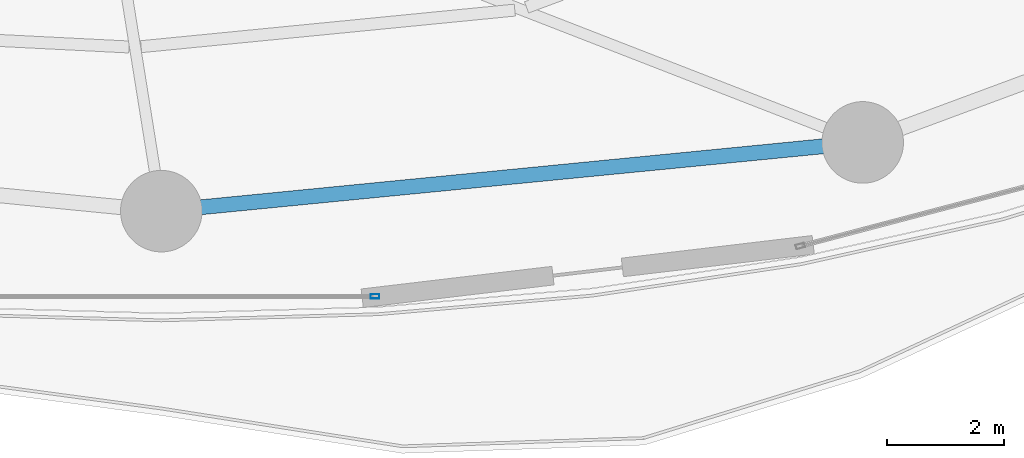
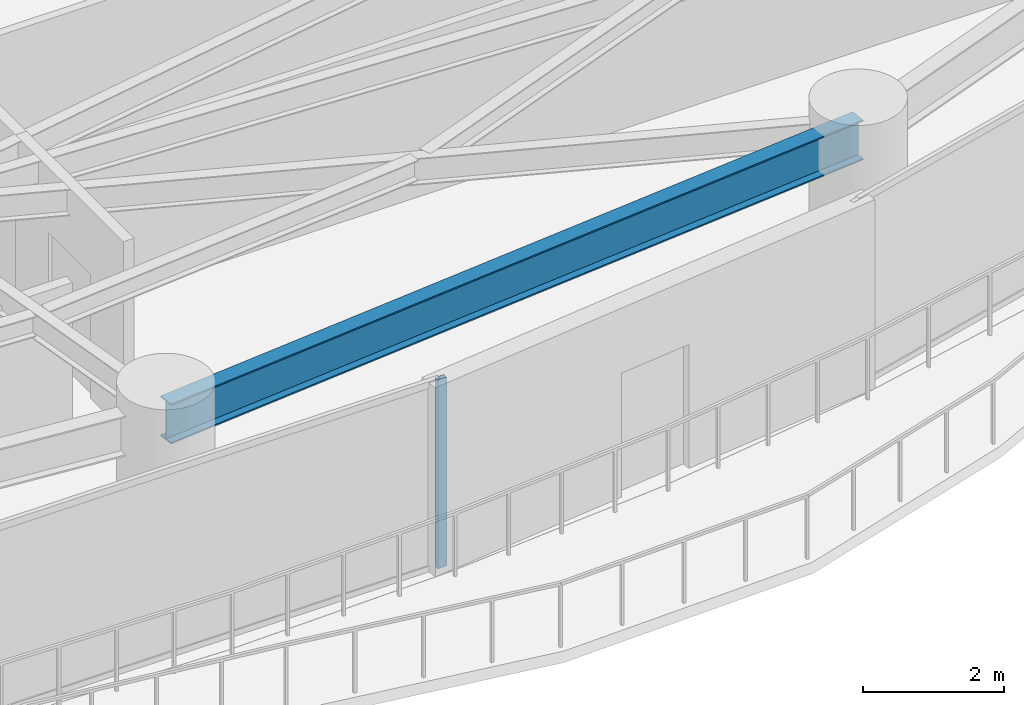
# One storey, part 10 of 30: 1 beam, 1 member, 1 element without a shape of its own.
"""IFC4 building model written with IfcOpenShell, lengths in metres."""

from ifc_helpers import new_model, si_unit, direction, frame, origin, origin_2d, place, context, subcontext, project, spatial, hollow_rectangle, i_section, extrude, material, layer, layer_set, material_profile, profile_set, type_object, element, aggregate, save


model = new_model("IFC4")

# Units and contexts
model_context = context("Model", 3, precision=1e-05, world=origin(), true_north=direction((0.0, 1.0)))
body_context = subcontext(model_context, "Body", "Model", "MODEL_VIEW")
ifc_project = project(units=[si_unit("LENGTHUNIT", "METRE"), si_unit("AREAUNIT", "SQUARE_METRE"), si_unit("VOLUMEUNIT", "CUBIC_METRE"), si_unit("PLANEANGLEUNIT", "RADIAN"), si_unit("MASSUNIT", "GRAM", prefix="KILO")], contexts=[model_context])

# Site, building, storey
site_placement = place(None, origin())
site = spatial("IfcSite", under=ifc_project, at=site_placement, CompositionType="ELEMENT")
building_placement = place(site_placement, origin())
building = spatial("IfcBuilding", under=site, at=building_placement, Name="Kazevale Care Tower and Concert Hall", CompositionType="ELEMENT")
storey_placement = place(building_placement, frame((0.0, 0.0, 88.800048828125)))
storey = spatial("IfcBuildingStorey", under=building, at=storey_placement, Name="L23", CompositionType="ELEMENT", Elevation=88.800048828125)

# Curtain wall, member
ifc_material_1 = material(Name="Aluminium 6063-T6 and Low-E Glass", Category="aluminium")
ifc_layer = layer(ifc_material_1, 0.179931640625)
ifc_layer_set = layer_set([ifc_layer], Name="Aluminium 6063-T6 and Low-E Glass")
curtain_wall_type = type_object("IfcCurtainWallType", Name="Sheltered Concave Balcony Curtain Wall CW-5", PredefinedType="NOTDEFINED", material=ifc_layer_set)
curtain_wall_placement = place(storey_placement, origin())
curtain_wall = element("IfcCurtainWall", 1, at=curtain_wall_placement, inside=storey, type_object=curtain_wall_type, Name="cw:L23:f06", PredefinedType="NOTDEFINED")
ifc_material_2 = material(Name="Aluminium 6063-T6", Category="aluminium")
ifc_material_profile_1 = material_profile(ifc_material_2, hollow_rectangle(XDim=0.074951171875, YDim=0.14990234375, WallThickness=0.00390625, at=origin_2d()), Name="ALU75x150x4")
ifc_profile_set_1 = profile_set([ifc_material_profile_1], Name="Aluminium 6063-T6")
member_type = type_object("IfcMemberType", Name="CW-5 Mullion ALU75x150x4", PredefinedType="MULLION", material=ifc_profile_set_1)
member_placement = place(storey_placement, frame((48.66943359375, 15.885986328125, 0.0), z_axis=(0.0, 0.0, 1.0), x_axis=(0.0, -1.0, 0.0)))
member = element("IfcMember", 2, at=member_placement, type_object=member_type, Name="CW-5 mullion 1", PredefinedType="MULLION", context=body_context, shape_type="SweptSolid", body=[
    extrude(hollow_rectangle(XDim=0.074951171875, YDim=0.14990234375, WallThickness=0.00390625, at=origin_2d()), origin(), (0.0, 0.0, 1.0), 3.280029296875),
])
aggregate(curtain_wall, [member])

# Beam
ifc_material_3 = material(Name="Steel ASTM A572 Gr 50", Category="steel")
ifc_material_profile_2 = material_profile(ifc_material_3, i_section(OverallWidth=0.256103515625, OverallDepth=0.693115234375, WebThickness=0.014404296875, FlangeThickness=0.023681640625, at=origin_2d()), Name="W690x170")
ifc_profile_set_2 = profile_set([ifc_material_profile_2], Name="Steel ASTM A572 Gr 50")
beam_type = type_object("IfcBeamType", Name="Waist Ring Beam W690x170", PredefinedType="BEAM", material=ifc_profile_set_2)
beam_placement = place(storey_placement, frame((45.0, 17.35009765625, 2.933349609375), z_axis=(0.995232251602, 0.09753340644, 0.0), x_axis=(-0.09753340644, 0.995232251602, 0.0)))
element("IfcBeam", 3, at=beam_placement, inside=storey, type_object=beam_type, Name="beam:L23:ring:13", PredefinedType="BEAM", context=body_context, shape_type="SweptSolid", body=[
    extrude(i_section(OverallWidth=0.256103515625, OverallDepth=0.693115234375, WebThickness=0.014404296875, FlangeThickness=0.023681640625, at=origin_2d()), origin(), (0.0, 0.0, 1.0), 12.09765625),
])

save(model, "model.ifc")
